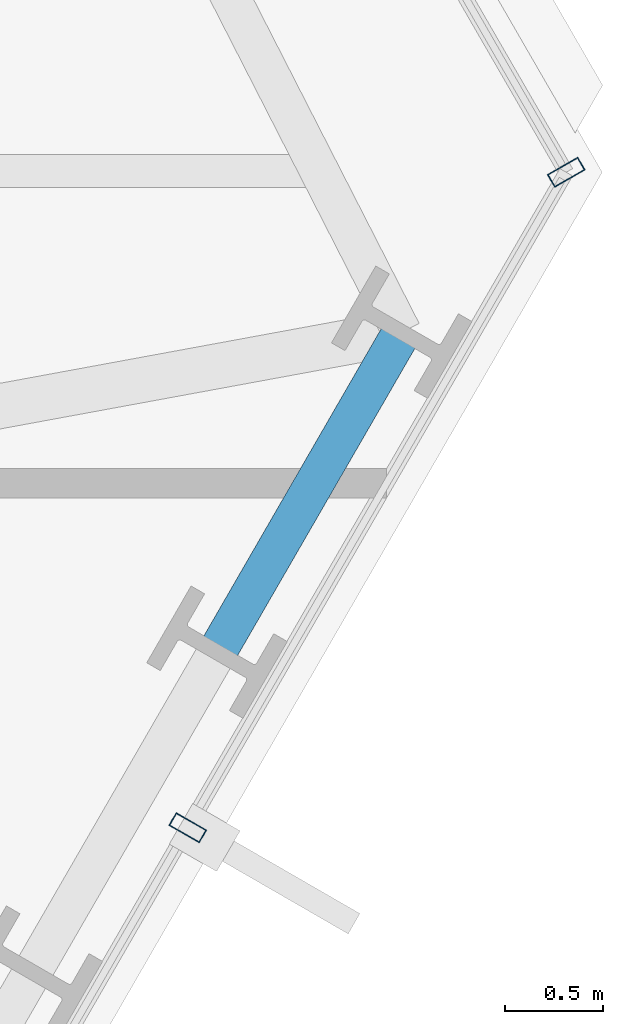
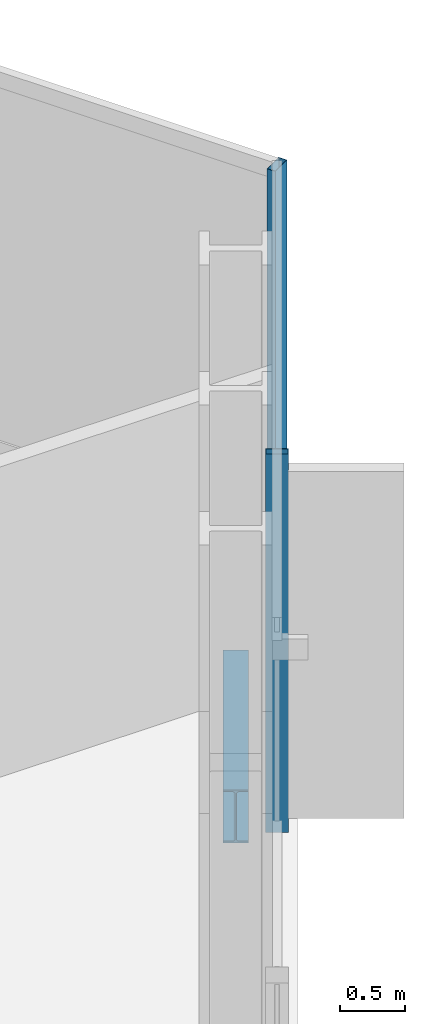
# One storey, part 17 of 32: 2 members, 1 beam, 2 elements without a shape of their own.
"""IFC4 building model written with IfcOpenShell, lengths in metres."""

from ifc_helpers import new_model, si_unit, direction, frame, origin, origin_2d, place, context, subcontext, project, spatial, hollow_rectangle, i_section, extrude, material, layer, layer_set, material_profile, profile_set, type_object, element, aggregate, save


model = new_model("IFC4")

# Units and contexts
model_context = context("Model", 3, precision=1e-05, world=origin(), true_north=direction((0.0, 1.0)))
body_context = subcontext(model_context, "Body", "Model", "MODEL_VIEW")
ifc_project = project(units=[si_unit("LENGTHUNIT", "METRE"), si_unit("AREAUNIT", "SQUARE_METRE"), si_unit("VOLUMEUNIT", "CUBIC_METRE"), si_unit("PLANEANGLEUNIT", "RADIAN"), si_unit("MASSUNIT", "GRAM", prefix="KILO")], contexts=[model_context])

# Site, building, storey
site_placement = place(None, origin())
site = spatial("IfcSite", under=ifc_project, at=site_placement, CompositionType="ELEMENT")
building_placement = place(site_placement, origin())
building = spatial("IfcBuilding", under=site, at=building_placement, Name="Ndaravel Arena Tower", CompositionType="ELEMENT")
storey_placement = place(building_placement, frame((0.0, 0.0, 58.800048828125)))
storey = spatial("IfcBuildingStorey", under=building, at=storey_placement, Name="L12", CompositionType="ELEMENT", Elevation=58.800048828125)

# Beam
ifc_material_1 = material(Name="Steel S355", Category="steel")
ifc_material_profile_1 = material_profile(ifc_material_1, i_section(OverallWidth=0.199951171875, OverallDepth=0.5, WebThickness=0.01025390625, FlangeThickness=0.01611328125, FilletRadius=0.02099609375, at=origin_2d()), Name="IPE 500")
ifc_profile_set_1 = profile_set([ifc_material_profile_1], Name="Steel S355")
beam_type = type_object("IfcBeamType", Name="BM-SPAN-IPE500", PredefinedType="SPANDREL", material=ifc_profile_set_1)
beam_placement = place(storey_placement, frame((63.701904296875, 16.135009765625, -0.469970703125), z_axis=(0.50000898992, 0.86602021339, 0.0), x_axis=(-0.86602021339, 0.50000898992, 0.0)))
element("IfcBeam", 1, at=beam_placement, inside=storey, type_object=beam_type, Name="L12 Perimeter Spandrel Beam SP-08", PredefinedType="SPANDREL", context=body_context, shape_type="SweptSolid", body=[
    extrude(i_section(OverallWidth=0.199951171875, OverallDepth=0.5, WebThickness=0.01025390625, FlangeThickness=0.01611328125, FilletRadius=0.02099609375, at=origin_2d()), origin(), (0.0, 0.0, 1.0), 1.89306640625),
])

# Curtain wall, member
ifc_material_2 = material(Name="Aluminium", Category="aluminium")
ifc_layer_1 = layer(ifc_material_2, 0.179931640625)
ifc_layer_set_1 = layer_set([ifc_layer_1], Name="Aluminium")
curtain_wall_type_1 = type_object("IfcCurtainWallType", Name="CW-SYS-01", PredefinedType="NOTDEFINED", material=ifc_layer_set_1)
curtain_wall_1_placement = place(storey_placement, origin())
curtain_wall_1 = element("IfcCurtainWall", 2, at=curtain_wall_1_placement, inside=storey, type_object=curtain_wall_type_1, Name="L12 Faceted Crystal Curtain Wall CW-L12-E02", PredefinedType="NOTDEFINED")
ifc_material_3 = material(Name="Aluminium", Category="aluminium")
ifc_material_profile_2 = material_profile(ifc_material_3, hollow_rectangle(XDim=0.074951171875, YDim=0.179931640625, WallThickness=0.00390625, at=origin_2d()), Name="CW MULLION 75x180x4")
ifc_profile_set_2 = profile_set([ifc_material_profile_2], Name="Aluminium")
member_type = type_object("IfcMemberType", Name="MEM-CW-MUL180", PredefinedType="MULLION", material=ifc_profile_set_2)
member_1_placement = place(storey_placement, frame((63.552001953125, 15.2353515625, 0.0), z_axis=(0.0, 0.0, 1.0), x_axis=(0.5, 0.866025403784, 0.0)))
member_1 = element("IfcMember", 3, at=member_1_placement, type_object=member_type, Name="CW-L12-E02 Mullion 03", PredefinedType="MULLION", context=body_context, shape_type="SweptSolid", body=[
    extrude(hollow_rectangle(XDim=0.074951171875, YDim=0.179931640625, WallThickness=0.00390625, at=origin_2d()), origin(), (0.0, 0.0, 1.0), 3.579833984375),
])
aggregate(curtain_wall_1, [member_1])

ifc_material_4 = material(Name="Aluminium", Category="aluminium")
ifc_layer_2 = layer(ifc_material_4, 0.179931640625)
ifc_layer_set_2 = layer_set([ifc_layer_2], Name="Aluminium")
curtain_wall_type_2 = type_object("IfcCurtainWallType", Name="CW-SYS-03", PredefinedType="NOTDEFINED", material=ifc_layer_set_2)
curtain_wall_2_placement = place(storey_placement, origin())
curtain_wall_2 = element("IfcCurtainWall", 4, at=curtain_wall_2_placement, inside=storey, type_object=curtain_wall_type_2, Name="L12 Faceted Crystal Curtain Wall CW-L12-E03", PredefinedType="NOTDEFINED")
member_2_placement = place(storey_placement, frame((65.4912109375, 18.593994140625, 0.0), z_axis=(0.0, 0.0, 1.0), x_axis=(-0.5, 0.866025403784, 0.0)))
member_2 = element("IfcMember", 5, at=member_2_placement, type_object=member_type, Name="CW-L12-E03 Mullion 00", PredefinedType="MULLION", context=body_context, shape_type="SweptSolid", body=[
    extrude(hollow_rectangle(XDim=0.074951171875, YDim=0.179931640625, WallThickness=0.00390625, at=origin_2d()), origin(), (0.0, 0.0, 1.0), 3.579833984375),
])
aggregate(curtain_wall_2, [member_2])

save(model, "model.ifc")
